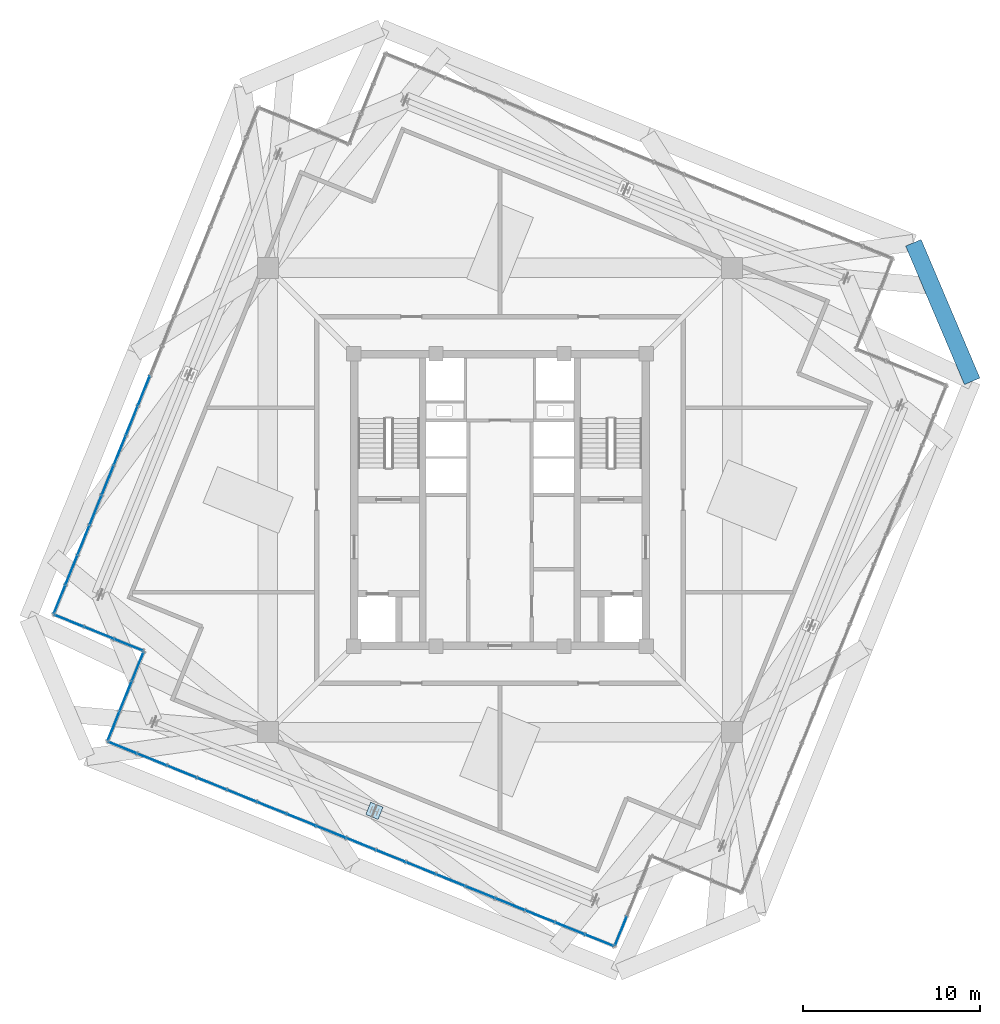
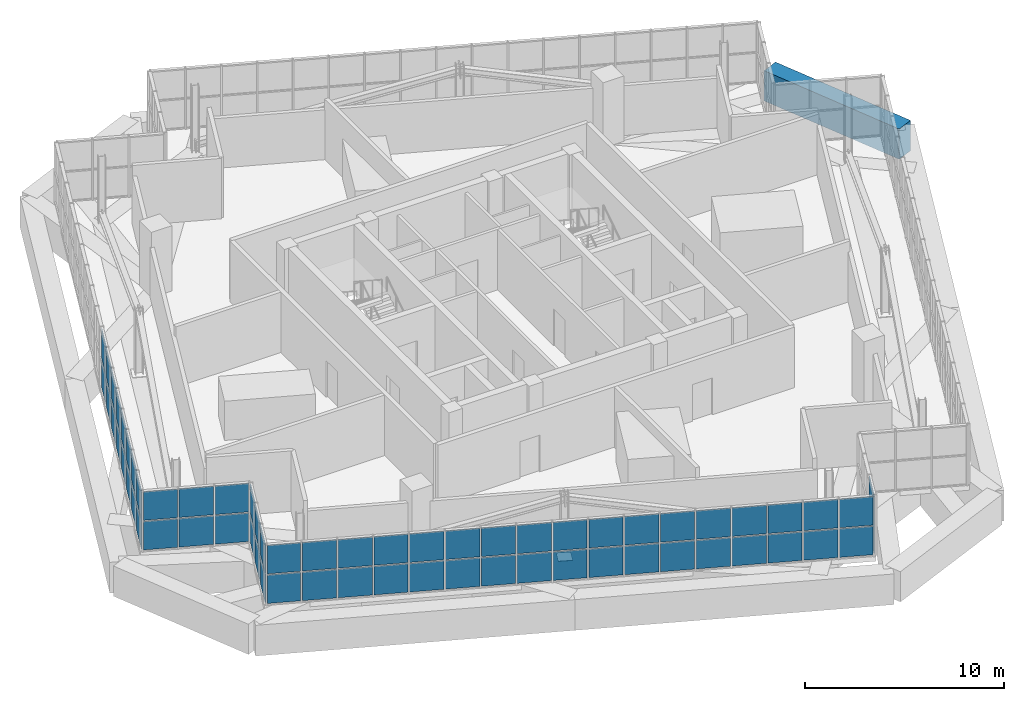
# One storey, part 27 of 35: 65 plates, 1 beam, 5 elements without a shape of their own.
"""IFC4 building model written with IfcOpenShell, lengths in metres."""

from ifc_helpers import new_model, si_unit, direction, frame, origin, origin_2d, place, context, subcontext, project, spatial, rectangle, extrude, source, transform, mapped, material, layer, layer_set, material_profile, profile_set, type_object, element, aggregate, save


model = new_model("IFC4")

# Units and contexts
model_context = context("Model", 3, precision=1e-05, world=origin(), true_north=direction((0.0, 1.0)))
body_context = subcontext(model_context, "Body", "Model", "MODEL_VIEW")
ifc_project = project(units=[si_unit("LENGTHUNIT", "METRE"), si_unit("AREAUNIT", "SQUARE_METRE"), si_unit("VOLUMEUNIT", "CUBIC_METRE"), si_unit("PLANEANGLEUNIT", "RADIAN"), si_unit("MASSUNIT", "GRAM", prefix="KILO"), si_unit("THERMODYNAMICTEMPERATUREUNIT", "KELVIN")], contexts=[model_context])

# Site, building, storey
site_placement = place(None, origin())
site = spatial("IfcSite", under=ifc_project, at=site_placement, CompositionType="ELEMENT")
building_placement = place(site_placement, origin())
building = spatial("IfcBuilding", under=site, at=building_placement, Name="Kosmvard Interchange Tower", CompositionType="ELEMENT")
storey_placement = place(building_placement, frame((0.0, 0.0, 321.60009765625)))
storey = spatial("IfcBuildingStorey", under=building, at=storey_placement, Name="L79", CompositionType="ELEMENT", Elevation=321.60009765625)

# Beam
ifc_material_1 = material(Name="Concrete C60/75", Category="concrete")
ifc_material_profile = material_profile(ifc_material_1, rectangle(XDim=0.949951171875, YDim=1.85009765625, at=origin_2d()), Name="TG 950x1850")
ifc_profile_set = profile_set([ifc_material_profile], Name="Concrete C60/75")
beam_type = type_object("IfcBeamType", Name="Upper Transfer Ring Girder 950x1850 C60/75", PredefinedType="USERDEFINED", material=ifc_profile_set)
shared_shape_1 = source(origin(), body_context, "Body", "SweptSolid", [
    extrude(rectangle(XDim=0.949951171875, YDim=1.85009765625, at=origin_2d()), origin(), (0.0, 0.0, 1.0), 8.4853515625),
])
beam_placement = place(storey_placement, frame((26.61962890625, 6.690185546875, -0.925048828125), z_axis=(-0.390725696857, 0.920507159025, 0.0), x_axis=(-0.920507159025, -0.390725696857, 0.0)))
element("IfcBeam", 1, at=beam_placement, inside=storey, type_object=beam_type, Name="BM-L79-LR03", ObjectType="TRANSFER_GIRDER", PredefinedType="USERDEFINED", context=body_context, shape_type="MappedRepresentation", body=[
    mapped(shared_shape_1, transform((0.0, 0.0, 0.0), scale=1.0)),
])

# Plate
ifc_material_2 = material(Name="Steel S355", Category="steel")
ifc_layer_1 = layer(ifc_material_2, 0.0380859375, Name="Steel S355")
ifc_layer_set_1 = layer_set([ifc_layer_1], Name="Steel S355")
plate_type_1 = type_object("IfcPlateType", Name="Lantern Base & Chord End Cap Stiffener 750x750x38 S355", PredefinedType="USERDEFINED", material=ifc_layer_set_1)
shared_shape_2 = source(origin(), body_context, "Body", "SweptSolid", [
    extrude(rectangle(XDim=0.75, YDim=0.75, at=origin_2d()), origin(), (0.0, 0.0, 1.0), 0.0380859375),
])
plate_1_placement = place(storey_placement, frame((-7.080078125, -17.523681640625, -0.000244140625), z_axis=(0.0, 0.0, 1.0), x_axis=(0.374606593416, 0.927183854567, 0.0)))
element("IfcPlate", 2, at=plate_1_placement, inside=storey, type_object=plate_type_1, Name="Crown Lantern Leg Base Plate LL-W2", ObjectType="STIFFENER_PLATE", PredefinedType="USERDEFINED", context=body_context, shape_type="MappedRepresentation", body=[
    mapped(shared_shape_2, transform((0.0, 0.0, 0.0), scale=1.0)),
])

# Curtain wall, plates
ifc_material_3 = material(Name="Architectural anodised aluminium", Category="aluminium")
ifc_layer_2 = layer(ifc_material_3, 0.25, Name="Architectural anodised aluminium")
ifc_layer_set_2 = layer_set([ifc_layer_2], Name="Architectural anodised aluminium")
curtain_wall_type = type_object("IfcCurtainWallType", Name="CW-6 Illuminated Crown Lantern Curtain Wall", PredefinedType="NOTDEFINED", material=ifc_layer_set_2)
curtain_wall_1_placement = place(storey_placement, origin())
curtain_wall_1 = element("IfcCurtainWall", 3, at=curtain_wall_1_placement, inside=storey, type_object=curtain_wall_type, Name="L79 Crown Lantern Glazing Face 07", PredefinedType="NOTDEFINED")
ifc_material_4 = material(Name="Laminated acoustic lantern glazing", Category="glass")
ifc_layer_3 = layer(ifc_material_4, 0.035888671875, Name="Laminated acoustic lantern glazing")
ifc_layer_set_3 = layer_set([ifc_layer_3], Name="Laminated acoustic lantern glazing")
plate_type_2 = type_object("IfcPlateType", Name="Lantern Diffused Illuminated Panel 36", PredefinedType="CURTAIN_PANEL", material=ifc_layer_set_3)
shared_shape_3 = source(origin(), body_context, "Body", "SweptSolid", [
    extrude(rectangle(XDim=1.694091796875, YDim=0.035888671875, at=origin_2d()), origin(), (0.0, 0.0, 1.0), 1.7451171875),
])
plate_2_placement = place(storey_placement, frame((-24.825927734375, -5.600830078125, 0.06982421875), z_axis=(0.0, 0.0, 1.0), x_axis=(-0.374606584758, -0.927183858065, 0.0)))
plate_2 = element("IfcPlate", 4, at=plate_2_placement, type_object=plate_type_2, Name="CW-6 panel 17.1", PredefinedType="CURTAIN_PANEL", context=body_context, shape_type="MappedRepresentation", body=[
    mapped(shared_shape_3, transform((0.0, 0.0, 0.0), scale=1.0)),
])
plate_3_placement = place(storey_placement, frame((-24.825927734375, -5.600830078125, 1.884765625), z_axis=(0.0, 0.0, 1.0), x_axis=(-0.374606584758, -0.927183858065, 0.0)))
plate_3 = element("IfcPlate", 5, at=plate_3_placement, type_object=plate_type_2, Name="CW-6 panel 17.2", PredefinedType="CURTAIN_PANEL", context=body_context, shape_type="MappedRepresentation", body=[
    mapped(shared_shape_3, transform((0.0, 0.0, 0.0), scale=1.0)),
])

curtain_wall_2_placement = place(storey_placement, origin())
curtain_wall_2 = element("IfcCurtainWall", 6, at=curtain_wall_2_placement, inside=storey, type_object=curtain_wall_type, Name="L79 Crown Lantern Glazing Face 10", PredefinedType="NOTDEFINED")
plate_4_placement = place(storey_placement, frame((-21.2744140625, -13.967529296875, 0.06982421875), z_axis=(0.0, 0.0, 1.0), x_axis=(0.927183858065, -0.374606584758, 0.0)))
plate_4 = element("IfcPlate", 7, at=plate_4_placement, type_object=plate_type_2, Name="CW-6 panel 1.1", PredefinedType="CURTAIN_PANEL", context=body_context, shape_type="MappedRepresentation", body=[
    mapped(shared_shape_3, transform((0.0, 0.0, 0.0), scale=1.0)),
])
plate_5_placement = place(storey_placement, frame((-21.2744140625, -13.967529296875, 1.884765625), z_axis=(0.0, 0.0, 1.0), x_axis=(0.927183858065, -0.374606584758, 0.0)))
plate_5 = element("IfcPlate", 8, at=plate_5_placement, type_object=plate_type_2, Name="CW-6 panel 1.2", PredefinedType="CURTAIN_PANEL", context=body_context, shape_type="MappedRepresentation", body=[
    mapped(shared_shape_3, transform((0.0, 0.0, 0.0), scale=1.0)),
])
plate_6_placement = place(storey_placement, frame((5.600830078125, -24.825927734375, 0.06982421875), z_axis=(0.0, 0.0, 1.0), x_axis=(0.927183858065, -0.374606584758, 0.0)))
plate_6 = element("IfcPlate", 9, at=plate_6_placement, type_object=plate_type_2, Name="CW-6 panel 17.1", PredefinedType="CURTAIN_PANEL", context=body_context, shape_type="MappedRepresentation", body=[
    mapped(shared_shape_3, transform((0.0, 0.0, 0.0), scale=1.0)),
])
plate_7_placement = place(storey_placement, frame((5.600830078125, -24.825927734375, 1.884765625), z_axis=(0.0, 0.0, 1.0), x_axis=(0.927183858065, -0.374606584758, 0.0)))
plate_7 = element("IfcPlate", 10, at=plate_7_placement, type_object=plate_type_2, Name="CW-6 panel 17.2", PredefinedType="CURTAIN_PANEL", context=body_context, shape_type="MappedRepresentation", body=[
    mapped(shared_shape_3, transform((0.0, 0.0, 0.0), scale=1.0)),
])

# Plate
shared_shape_4 = source(origin(), body_context, "Body", "SweptSolid", [
    extrude(rectangle(XDim=1.734130859375, YDim=0.035888671875, at=origin_2d()), origin(), (0.0, 0.0, 1.0), 1.7451171875),
])
plate_8_placement = place(storey_placement, frame((-20.076171875, 6.15478515625, 0.06982421875), z_axis=(0.0, 0.0, 1.0), x_axis=(-0.374606584758, -0.927183858065, 0.0)))
plate_8 = element("IfcPlate", 11, at=plate_8_placement, type_object=plate_type_2, Name="CW-6 panel 10.1", PredefinedType="CURTAIN_PANEL", context=body_context, shape_type="MappedRepresentation", body=[
    mapped(shared_shape_4, transform((0.0, 0.0, 0.0), scale=1.0)),
])

plate_9_placement = place(storey_placement, frame((-20.076171875, 6.15478515625, 1.884765625), z_axis=(0.0, 0.0, 1.0), x_axis=(-0.374606584758, -0.927183858065, 0.0)))
plate_9 = element("IfcPlate", 12, at=plate_9_placement, type_object=plate_type_2, Name="CW-6 panel 10.2", PredefinedType="CURTAIN_PANEL", context=body_context, shape_type="MappedRepresentation", body=[
    mapped(shared_shape_4, transform((0.0, 0.0, 0.0), scale=1.0)),
])

plate_10_placement = place(storey_placement, frame((-20.755859375, 4.47265625, 0.06982421875), z_axis=(0.0, 0.0, 1.0), x_axis=(-0.374606584758, -0.927183858065, 0.0)))
plate_10 = element("IfcPlate", 13, at=plate_10_placement, type_object=plate_type_2, Name="CW-6 panel 11.1", PredefinedType="CURTAIN_PANEL", context=body_context, shape_type="MappedRepresentation", body=[
    mapped(shared_shape_4, transform((0.0, 0.0, 0.0), scale=1.0)),
])

plate_11_placement = place(storey_placement, frame((-20.755859375, 4.47265625, 1.884765625), z_axis=(0.0, 0.0, 1.0), x_axis=(-0.374606584758, -0.927183858065, 0.0)))
plate_11 = element("IfcPlate", 14, at=plate_11_placement, type_object=plate_type_2, Name="CW-6 panel 11.2", PredefinedType="CURTAIN_PANEL", context=body_context, shape_type="MappedRepresentation", body=[
    mapped(shared_shape_4, transform((0.0, 0.0, 0.0), scale=1.0)),
])

plate_12_placement = place(storey_placement, frame((-21.435546875, 2.790771484375, 0.06982421875), z_axis=(0.0, 0.0, 1.0), x_axis=(-0.374606584758, -0.927183858065, 0.0)))
plate_12 = element("IfcPlate", 15, at=plate_12_placement, type_object=plate_type_2, Name="CW-6 panel 12.1", PredefinedType="CURTAIN_PANEL", context=body_context, shape_type="MappedRepresentation", body=[
    mapped(shared_shape_4, transform((0.0, 0.0, 0.0), scale=1.0)),
])

plate_13_placement = place(storey_placement, frame((-21.435546875, 2.790771484375, 1.884765625), z_axis=(0.0, 0.0, 1.0), x_axis=(-0.374606584758, -0.927183858065, 0.0)))
plate_13 = element("IfcPlate", 16, at=plate_13_placement, type_object=plate_type_2, Name="CW-6 panel 12.2", PredefinedType="CURTAIN_PANEL", context=body_context, shape_type="MappedRepresentation", body=[
    mapped(shared_shape_4, transform((0.0, 0.0, 0.0), scale=1.0)),
])

plate_14_placement = place(storey_placement, frame((-22.114990234375, 1.108642578125, 0.06982421875), z_axis=(0.0, 0.0, 1.0), x_axis=(-0.374606584758, -0.927183858065, 0.0)))
plate_14 = element("IfcPlate", 17, at=plate_14_placement, type_object=plate_type_2, Name="CW-6 panel 13.1", PredefinedType="CURTAIN_PANEL", context=body_context, shape_type="MappedRepresentation", body=[
    mapped(shared_shape_4, transform((0.0, 0.0, 0.0), scale=1.0)),
])

plate_15_placement = place(storey_placement, frame((-22.114990234375, 1.108642578125, 1.884765625), z_axis=(0.0, 0.0, 1.0), x_axis=(-0.374606584758, -0.927183858065, 0.0)))
plate_15 = element("IfcPlate", 18, at=plate_15_placement, type_object=plate_type_2, Name="CW-6 panel 13.2", PredefinedType="CURTAIN_PANEL", context=body_context, shape_type="MappedRepresentation", body=[
    mapped(shared_shape_4, transform((0.0, 0.0, 0.0), scale=1.0)),
])

plate_16_placement = place(storey_placement, frame((-22.794677734375, -0.5732421875, 0.06982421875), z_axis=(0.0, 0.0, 1.0), x_axis=(-0.374606584758, -0.927183858065, 0.0)))
plate_16 = element("IfcPlate", 19, at=plate_16_placement, type_object=plate_type_2, Name="CW-6 panel 14.1", PredefinedType="CURTAIN_PANEL", context=body_context, shape_type="MappedRepresentation", body=[
    mapped(shared_shape_4, transform((0.0, 0.0, 0.0), scale=1.0)),
])

plate_17_placement = place(storey_placement, frame((-22.794677734375, -0.5732421875, 1.884765625), z_axis=(0.0, 0.0, 1.0), x_axis=(-0.374606584758, -0.927183858065, 0.0)))
plate_17 = element("IfcPlate", 20, at=plate_17_placement, type_object=plate_type_2, Name="CW-6 panel 14.2", PredefinedType="CURTAIN_PANEL", context=body_context, shape_type="MappedRepresentation", body=[
    mapped(shared_shape_4, transform((0.0, 0.0, 0.0), scale=1.0)),
])

plate_18_placement = place(storey_placement, frame((-23.47412109375, -2.25537109375, 0.06982421875), z_axis=(0.0, 0.0, 1.0), x_axis=(-0.374606584758, -0.927183858065, 0.0)))
plate_18 = element("IfcPlate", 21, at=plate_18_placement, type_object=plate_type_2, Name="CW-6 panel 15.1", PredefinedType="CURTAIN_PANEL", context=body_context, shape_type="MappedRepresentation", body=[
    mapped(shared_shape_4, transform((0.0, 0.0, 0.0), scale=1.0)),
])

plate_19_placement = place(storey_placement, frame((-23.47412109375, -2.25537109375, 1.884765625), z_axis=(0.0, 0.0, 1.0), x_axis=(-0.374606584758, -0.927183858065, 0.0)))
plate_19 = element("IfcPlate", 22, at=plate_19_placement, type_object=plate_type_2, Name="CW-6 panel 15.2", PredefinedType="CURTAIN_PANEL", context=body_context, shape_type="MappedRepresentation", body=[
    mapped(shared_shape_4, transform((0.0, 0.0, 0.0), scale=1.0)),
])

plate_20_placement = place(storey_placement, frame((-24.15380859375, -3.937255859375, 0.06982421875), z_axis=(0.0, 0.0, 1.0), x_axis=(-0.374606584758, -0.927183858065, 0.0)))
plate_20 = element("IfcPlate", 23, at=plate_20_placement, type_object=plate_type_2, Name="CW-6 panel 16.1", PredefinedType="CURTAIN_PANEL", context=body_context, shape_type="MappedRepresentation", body=[
    mapped(shared_shape_4, transform((0.0, 0.0, 0.0), scale=1.0)),
])

plate_21_placement = place(storey_placement, frame((-24.15380859375, -3.937255859375, 1.884765625), z_axis=(0.0, 0.0, 1.0), x_axis=(-0.374606584758, -0.927183858065, 0.0)))
plate_21 = element("IfcPlate", 24, at=plate_21_placement, type_object=plate_type_2, Name="CW-6 panel 16.2", PredefinedType="CURTAIN_PANEL", context=body_context, shape_type="MappedRepresentation", body=[
    mapped(shared_shape_4, transform((0.0, 0.0, 0.0), scale=1.0)),
])

aggregate(curtain_wall_1, [plate_8, plate_9, plate_10, plate_11, plate_12, plate_13, plate_14, plate_15, plate_16, plate_17, plate_18, plate_19, plate_20, plate_21, plate_2, plate_3])

plate_22_placement = place(storey_placement, frame((-19.61083984375, -14.6396484375, 0.06982421875), z_axis=(0.0, 0.0, 1.0), x_axis=(0.927183858065, -0.374606584758, 0.0)))
plate_22 = element("IfcPlate", 25, at=plate_22_placement, type_object=plate_type_2, Name="CW-6 panel 2.1", PredefinedType="CURTAIN_PANEL", context=body_context, shape_type="MappedRepresentation", body=[
    mapped(shared_shape_4, transform((0.0, 0.0, 0.0), scale=1.0)),
])

plate_23_placement = place(storey_placement, frame((-19.61083984375, -14.6396484375, 1.884765625), z_axis=(0.0, 0.0, 1.0), x_axis=(0.927183858065, -0.374606584758, 0.0)))
plate_23 = element("IfcPlate", 26, at=plate_23_placement, type_object=plate_type_2, Name="CW-6 panel 2.2", PredefinedType="CURTAIN_PANEL", context=body_context, shape_type="MappedRepresentation", body=[
    mapped(shared_shape_4, transform((0.0, 0.0, 0.0), scale=1.0)),
])

plate_24_placement = place(storey_placement, frame((-17.928955078125, -15.319091796875, 0.06982421875), z_axis=(0.0, 0.0, 1.0), x_axis=(0.927183858065, -0.374606584758, 0.0)))
plate_24 = element("IfcPlate", 27, at=plate_24_placement, type_object=plate_type_2, Name="CW-6 panel 3.1", PredefinedType="CURTAIN_PANEL", context=body_context, shape_type="MappedRepresentation", body=[
    mapped(shared_shape_4, transform((0.0, 0.0, 0.0), scale=1.0)),
])

plate_25_placement = place(storey_placement, frame((-17.928955078125, -15.319091796875, 1.884765625), z_axis=(0.0, 0.0, 1.0), x_axis=(0.927183858065, -0.374606584758, 0.0)))
plate_25 = element("IfcPlate", 28, at=plate_25_placement, type_object=plate_type_2, Name="CW-6 panel 3.2", PredefinedType="CURTAIN_PANEL", context=body_context, shape_type="MappedRepresentation", body=[
    mapped(shared_shape_4, transform((0.0, 0.0, 0.0), scale=1.0)),
])

plate_26_placement = place(storey_placement, frame((-16.246826171875, -15.998779296875, 0.06982421875), z_axis=(0.0, 0.0, 1.0), x_axis=(0.927183858065, -0.374606584758, 0.0)))
plate_26 = element("IfcPlate", 29, at=plate_26_placement, type_object=plate_type_2, Name="CW-6 panel 4.1", PredefinedType="CURTAIN_PANEL", context=body_context, shape_type="MappedRepresentation", body=[
    mapped(shared_shape_4, transform((0.0, 0.0, 0.0), scale=1.0)),
])

plate_27_placement = place(storey_placement, frame((-16.246826171875, -15.998779296875, 1.884765625), z_axis=(0.0, 0.0, 1.0), x_axis=(0.927183858065, -0.374606584758, 0.0)))
plate_27 = element("IfcPlate", 30, at=plate_27_placement, type_object=plate_type_2, Name="CW-6 panel 4.2", PredefinedType="CURTAIN_PANEL", context=body_context, shape_type="MappedRepresentation", body=[
    mapped(shared_shape_4, transform((0.0, 0.0, 0.0), scale=1.0)),
])

plate_28_placement = place(storey_placement, frame((-14.56494140625, -16.678466796875, 0.06982421875), z_axis=(0.0, 0.0, 1.0), x_axis=(0.927183858065, -0.374606584758, 0.0)))
plate_28 = element("IfcPlate", 31, at=plate_28_placement, type_object=plate_type_2, Name="CW-6 panel 5.1", PredefinedType="CURTAIN_PANEL", context=body_context, shape_type="MappedRepresentation", body=[
    mapped(shared_shape_4, transform((0.0, 0.0, 0.0), scale=1.0)),
])

plate_29_placement = place(storey_placement, frame((-14.56494140625, -16.678466796875, 1.884765625), z_axis=(0.0, 0.0, 1.0), x_axis=(0.927183858065, -0.374606584758, 0.0)))
plate_29 = element("IfcPlate", 32, at=plate_29_placement, type_object=plate_type_2, Name="CW-6 panel 5.2", PredefinedType="CURTAIN_PANEL", context=body_context, shape_type="MappedRepresentation", body=[
    mapped(shared_shape_4, transform((0.0, 0.0, 0.0), scale=1.0)),
])

plate_30_placement = place(storey_placement, frame((-12.8828125, -17.35791015625, 0.06982421875), z_axis=(0.0, 0.0, 1.0), x_axis=(0.927183858065, -0.374606584758, 0.0)))
plate_30 = element("IfcPlate", 33, at=plate_30_placement, type_object=plate_type_2, Name="CW-6 panel 6.1", PredefinedType="CURTAIN_PANEL", context=body_context, shape_type="MappedRepresentation", body=[
    mapped(shared_shape_4, transform((0.0, 0.0, 0.0), scale=1.0)),
])

plate_31_placement = place(storey_placement, frame((-12.8828125, -17.35791015625, 1.884765625), z_axis=(0.0, 0.0, 1.0), x_axis=(0.927183858065, -0.374606584758, 0.0)))
plate_31 = element("IfcPlate", 34, at=plate_31_placement, type_object=plate_type_2, Name="CW-6 panel 6.2", PredefinedType="CURTAIN_PANEL", context=body_context, shape_type="MappedRepresentation", body=[
    mapped(shared_shape_4, transform((0.0, 0.0, 0.0), scale=1.0)),
])

plate_32_placement = place(storey_placement, frame((-11.200927734375, -18.03759765625, 0.06982421875), z_axis=(0.0, 0.0, 1.0), x_axis=(0.927183858065, -0.374606584758, 0.0)))
plate_32 = element("IfcPlate", 35, at=plate_32_placement, type_object=plate_type_2, Name="CW-6 panel 7.1", PredefinedType="CURTAIN_PANEL", context=body_context, shape_type="MappedRepresentation", body=[
    mapped(shared_shape_4, transform((0.0, 0.0, 0.0), scale=1.0)),
])

plate_33_placement = place(storey_placement, frame((-11.200927734375, -18.03759765625, 1.884765625), z_axis=(0.0, 0.0, 1.0), x_axis=(0.927183858065, -0.374606584758, 0.0)))
plate_33 = element("IfcPlate", 36, at=plate_33_placement, type_object=plate_type_2, Name="CW-6 panel 7.2", PredefinedType="CURTAIN_PANEL", context=body_context, shape_type="MappedRepresentation", body=[
    mapped(shared_shape_4, transform((0.0, 0.0, 0.0), scale=1.0)),
])

plate_34_placement = place(storey_placement, frame((-9.518798828125, -18.717041015625, 0.06982421875), z_axis=(0.0, 0.0, 1.0), x_axis=(0.927183858065, -0.374606584758, 0.0)))
plate_34 = element("IfcPlate", 37, at=plate_34_placement, type_object=plate_type_2, Name="CW-6 panel 8.1", PredefinedType="CURTAIN_PANEL", context=body_context, shape_type="MappedRepresentation", body=[
    mapped(shared_shape_4, transform((0.0, 0.0, 0.0), scale=1.0)),
])

plate_35_placement = place(storey_placement, frame((-9.518798828125, -18.717041015625, 1.884765625), z_axis=(0.0, 0.0, 1.0), x_axis=(0.927183858065, -0.374606584758, 0.0)))
plate_35 = element("IfcPlate", 38, at=plate_35_placement, type_object=plate_type_2, Name="CW-6 panel 8.2", PredefinedType="CURTAIN_PANEL", context=body_context, shape_type="MappedRepresentation", body=[
    mapped(shared_shape_4, transform((0.0, 0.0, 0.0), scale=1.0)),
])

plate_36_placement = place(storey_placement, frame((-7.836669921875, -19.396728515625, 0.06982421875), z_axis=(0.0, 0.0, 1.0), x_axis=(0.927183858065, -0.374606584758, 0.0)))
plate_36 = element("IfcPlate", 39, at=plate_36_placement, type_object=plate_type_2, Name="CW-6 panel 9.1", PredefinedType="CURTAIN_PANEL", context=body_context, shape_type="MappedRepresentation", body=[
    mapped(shared_shape_4, transform((0.0, 0.0, 0.0), scale=1.0)),
])

plate_37_placement = place(storey_placement, frame((-7.836669921875, -19.396728515625, 1.884765625), z_axis=(0.0, 0.0, 1.0), x_axis=(0.927183858065, -0.374606584758, 0.0)))
plate_37 = element("IfcPlate", 40, at=plate_37_placement, type_object=plate_type_2, Name="CW-6 panel 9.2", PredefinedType="CURTAIN_PANEL", context=body_context, shape_type="MappedRepresentation", body=[
    mapped(shared_shape_4, transform((0.0, 0.0, 0.0), scale=1.0)),
])

plate_38_placement = place(storey_placement, frame((-6.15478515625, -20.076171875, 0.06982421875), z_axis=(0.0, 0.0, 1.0), x_axis=(0.927183858065, -0.374606584758, 0.0)))
plate_38 = element("IfcPlate", 41, at=plate_38_placement, type_object=plate_type_2, Name="CW-6 panel 10.1", PredefinedType="CURTAIN_PANEL", context=body_context, shape_type="MappedRepresentation", body=[
    mapped(shared_shape_4, transform((0.0, 0.0, 0.0), scale=1.0)),
])

plate_39_placement = place(storey_placement, frame((-6.15478515625, -20.076171875, 1.884765625), z_axis=(0.0, 0.0, 1.0), x_axis=(0.927183858065, -0.374606584758, 0.0)))
plate_39 = element("IfcPlate", 42, at=plate_39_placement, type_object=plate_type_2, Name="CW-6 panel 10.2", PredefinedType="CURTAIN_PANEL", context=body_context, shape_type="MappedRepresentation", body=[
    mapped(shared_shape_4, transform((0.0, 0.0, 0.0), scale=1.0)),
])

plate_40_placement = place(storey_placement, frame((-4.47265625, -20.755859375, 0.06982421875), z_axis=(0.0, 0.0, 1.0), x_axis=(0.927183858065, -0.374606584758, 0.0)))
plate_40 = element("IfcPlate", 43, at=plate_40_placement, type_object=plate_type_2, Name="CW-6 panel 11.1", PredefinedType="CURTAIN_PANEL", context=body_context, shape_type="MappedRepresentation", body=[
    mapped(shared_shape_4, transform((0.0, 0.0, 0.0), scale=1.0)),
])

plate_41_placement = place(storey_placement, frame((-4.47265625, -20.755859375, 1.884765625), z_axis=(0.0, 0.0, 1.0), x_axis=(0.927183858065, -0.374606584758, 0.0)))
plate_41 = element("IfcPlate", 44, at=plate_41_placement, type_object=plate_type_2, Name="CW-6 panel 11.2", PredefinedType="CURTAIN_PANEL", context=body_context, shape_type="MappedRepresentation", body=[
    mapped(shared_shape_4, transform((0.0, 0.0, 0.0), scale=1.0)),
])

plate_42_placement = place(storey_placement, frame((-2.790771484375, -21.435546875, 0.06982421875), z_axis=(0.0, 0.0, 1.0), x_axis=(0.927183858065, -0.374606584758, 0.0)))
plate_42 = element("IfcPlate", 45, at=plate_42_placement, type_object=plate_type_2, Name="CW-6 panel 12.1", PredefinedType="CURTAIN_PANEL", context=body_context, shape_type="MappedRepresentation", body=[
    mapped(shared_shape_4, transform((0.0, 0.0, 0.0), scale=1.0)),
])

plate_43_placement = place(storey_placement, frame((-2.790771484375, -21.435546875, 1.884765625), z_axis=(0.0, 0.0, 1.0), x_axis=(0.927183858065, -0.374606584758, 0.0)))
plate_43 = element("IfcPlate", 46, at=plate_43_placement, type_object=plate_type_2, Name="CW-6 panel 12.2", PredefinedType="CURTAIN_PANEL", context=body_context, shape_type="MappedRepresentation", body=[
    mapped(shared_shape_4, transform((0.0, 0.0, 0.0), scale=1.0)),
])

plate_44_placement = place(storey_placement, frame((-1.108642578125, -22.114990234375, 0.06982421875), z_axis=(0.0, 0.0, 1.0), x_axis=(0.927183858065, -0.374606584758, 0.0)))
plate_44 = element("IfcPlate", 47, at=plate_44_placement, type_object=plate_type_2, Name="CW-6 panel 13.1", PredefinedType="CURTAIN_PANEL", context=body_context, shape_type="MappedRepresentation", body=[
    mapped(shared_shape_4, transform((0.0, 0.0, 0.0), scale=1.0)),
])

plate_45_placement = place(storey_placement, frame((-1.108642578125, -22.114990234375, 1.884765625), z_axis=(0.0, 0.0, 1.0), x_axis=(0.927183858065, -0.374606584758, 0.0)))
plate_45 = element("IfcPlate", 48, at=plate_45_placement, type_object=plate_type_2, Name="CW-6 panel 13.2", PredefinedType="CURTAIN_PANEL", context=body_context, shape_type="MappedRepresentation", body=[
    mapped(shared_shape_4, transform((0.0, 0.0, 0.0), scale=1.0)),
])

plate_46_placement = place(storey_placement, frame((0.5732421875, -22.794677734375, 0.06982421875), z_axis=(0.0, 0.0, 1.0), x_axis=(0.927183858065, -0.374606584758, 0.0)))
plate_46 = element("IfcPlate", 49, at=plate_46_placement, type_object=plate_type_2, Name="CW-6 panel 14.1", PredefinedType="CURTAIN_PANEL", context=body_context, shape_type="MappedRepresentation", body=[
    mapped(shared_shape_4, transform((0.0, 0.0, 0.0), scale=1.0)),
])

plate_47_placement = place(storey_placement, frame((0.5732421875, -22.794677734375, 1.884765625), z_axis=(0.0, 0.0, 1.0), x_axis=(0.927183858065, -0.374606584758, 0.0)))
plate_47 = element("IfcPlate", 50, at=plate_47_placement, type_object=plate_type_2, Name="CW-6 panel 14.2", PredefinedType="CURTAIN_PANEL", context=body_context, shape_type="MappedRepresentation", body=[
    mapped(shared_shape_4, transform((0.0, 0.0, 0.0), scale=1.0)),
])

plate_48_placement = place(storey_placement, frame((2.25537109375, -23.47412109375, 0.06982421875), z_axis=(0.0, 0.0, 1.0), x_axis=(0.927183858065, -0.374606584758, 0.0)))
plate_48 = element("IfcPlate", 51, at=plate_48_placement, type_object=plate_type_2, Name="CW-6 panel 15.1", PredefinedType="CURTAIN_PANEL", context=body_context, shape_type="MappedRepresentation", body=[
    mapped(shared_shape_4, transform((0.0, 0.0, 0.0), scale=1.0)),
])

plate_49_placement = place(storey_placement, frame((2.25537109375, -23.47412109375, 1.884765625), z_axis=(0.0, 0.0, 1.0), x_axis=(0.927183858065, -0.374606584758, 0.0)))
plate_49 = element("IfcPlate", 52, at=plate_49_placement, type_object=plate_type_2, Name="CW-6 panel 15.2", PredefinedType="CURTAIN_PANEL", context=body_context, shape_type="MappedRepresentation", body=[
    mapped(shared_shape_4, transform((0.0, 0.0, 0.0), scale=1.0)),
])

plate_50_placement = place(storey_placement, frame((3.937255859375, -24.15380859375, 0.06982421875), z_axis=(0.0, 0.0, 1.0), x_axis=(0.927183858065, -0.374606584758, 0.0)))
plate_50 = element("IfcPlate", 53, at=plate_50_placement, type_object=plate_type_2, Name="CW-6 panel 16.1", PredefinedType="CURTAIN_PANEL", context=body_context, shape_type="MappedRepresentation", body=[
    mapped(shared_shape_4, transform((0.0, 0.0, 0.0), scale=1.0)),
])

plate_51_placement = place(storey_placement, frame((3.937255859375, -24.15380859375, 1.884765625), z_axis=(0.0, 0.0, 1.0), x_axis=(0.927183858065, -0.374606584758, 0.0)))
plate_51 = element("IfcPlate", 54, at=plate_51_placement, type_object=plate_type_2, Name="CW-6 panel 16.2", PredefinedType="CURTAIN_PANEL", context=body_context, shape_type="MappedRepresentation", body=[
    mapped(shared_shape_4, transform((0.0, 0.0, 0.0), scale=1.0)),
])

aggregate(curtain_wall_2, [plate_4, plate_5, plate_22, plate_23, plate_24, plate_25, plate_26, plate_27, plate_28, plate_29, plate_30, plate_31, plate_32, plate_33, plate_34, plate_35, plate_36, plate_37, plate_38, plate_39, plate_40, plate_41, plate_42, plate_43, plate_44, plate_45, plate_46, plate_47, plate_48, plate_49, plate_50, plate_51, plate_6, plate_7])

# Curtain wall, plates
curtain_wall_3_placement = place(storey_placement, origin())
curtain_wall_3 = element("IfcCurtainWall", 55, at=curtain_wall_3_placement, inside=storey, type_object=curtain_wall_type, Name="L79 Crown Lantern Glazing Face 08", PredefinedType="NOTDEFINED")
shared_shape_5 = source(origin(), body_context, "Body", "SweptSolid", [
    extrude(rectangle(XDim=1.71337890625, YDim=0.035888671875, at=origin_2d()), origin(), (0.0, 0.0, 1.0), 1.7451171875),
])
plate_52_placement = place(storey_placement, frame((-24.3046875, -6.811279296875, 0.06982421875), z_axis=(0.0, 0.0, 1.0), x_axis=(0.92718386612, -0.374606564822, 0.0)))
plate_52 = element("IfcPlate", 56, at=plate_52_placement, type_object=plate_type_2, Name="CW-6 panel 1.1", PredefinedType="CURTAIN_PANEL", context=body_context, shape_type="MappedRepresentation", body=[
    mapped(shared_shape_5, transform((0.0, 0.0, 0.0), scale=1.0)),
])
plate_53_placement = place(storey_placement, frame((-24.3046875, -6.811279296875, 1.884765625), z_axis=(0.0, 0.0, 1.0), x_axis=(0.92718386612, -0.374606564822, 0.0)))
plate_53 = element("IfcPlate", 57, at=plate_53_placement, type_object=plate_type_2, Name="CW-6 panel 1.2", PredefinedType="CURTAIN_PANEL", context=body_context, shape_type="MappedRepresentation", body=[
    mapped(shared_shape_5, transform((0.0, 0.0, 0.0), scale=1.0)),
])
plate_54_placement = place(storey_placement, frame((-20.942138671875, -8.169921875, 0.06982421875), z_axis=(0.0, 0.0, 1.0), x_axis=(0.92718386612, -0.374606564822, 0.0)))
plate_54 = element("IfcPlate", 58, at=plate_54_placement, type_object=plate_type_2, Name="CW-6 panel 3.1", PredefinedType="CURTAIN_PANEL", context=body_context, shape_type="MappedRepresentation", body=[
    mapped(shared_shape_5, transform((0.0, 0.0, 0.0), scale=1.0)),
])
plate_55_placement = place(storey_placement, frame((-20.942138671875, -8.169921875, 1.884765625), z_axis=(0.0, 0.0, 1.0), x_axis=(0.92718386612, -0.374606564822, 0.0)))
plate_55 = element("IfcPlate", 59, at=plate_55_placement, type_object=plate_type_2, Name="CW-6 panel 3.2", PredefinedType="CURTAIN_PANEL", context=body_context, shape_type="MappedRepresentation", body=[
    mapped(shared_shape_5, transform((0.0, 0.0, 0.0), scale=1.0)),
])

curtain_wall_4_placement = place(storey_placement, origin())
curtain_wall_4 = element("IfcCurtainWall", 60, at=curtain_wall_4_placement, inside=storey, type_object=curtain_wall_type, Name="L79 Crown Lantern Glazing Face 09", PredefinedType="NOTDEFINED")
plate_56_placement = place(storey_placement, frame((-20.424560546875, -9.38916015625, 0.06982421875), z_axis=(0.0, 0.0, 1.0), x_axis=(-0.374606501678, -0.927183891631, 0.0)))
plate_56 = element("IfcPlate", 61, at=plate_56_placement, type_object=plate_type_2, Name="CW-6 panel 1.1", PredefinedType="CURTAIN_PANEL", context=body_context, shape_type="MappedRepresentation", body=[
    mapped(shared_shape_5, transform((0.0, 0.0, 0.0), scale=1.0)),
])
plate_57_placement = place(storey_placement, frame((-20.424560546875, -9.38916015625, 1.884765625), z_axis=(0.0, 0.0, 1.0), x_axis=(-0.374606501678, -0.927183891631, 0.0)))
plate_57 = element("IfcPlate", 62, at=plate_57_placement, type_object=plate_type_2, Name="CW-6 panel 1.2", PredefinedType="CURTAIN_PANEL", context=body_context, shape_type="MappedRepresentation", body=[
    mapped(shared_shape_5, transform((0.0, 0.0, 0.0), scale=1.0)),
])
plate_58_placement = place(storey_placement, frame((-21.782958984375, -12.751708984375, 0.06982421875), z_axis=(0.0, 0.0, 1.0), x_axis=(-0.374606501678, -0.927183891631, 0.0)))
plate_58 = element("IfcPlate", 63, at=plate_58_placement, type_object=plate_type_2, Name="CW-6 panel 3.1", PredefinedType="CURTAIN_PANEL", context=body_context, shape_type="MappedRepresentation", body=[
    mapped(shared_shape_5, transform((0.0, 0.0, 0.0), scale=1.0)),
])
plate_59_placement = place(storey_placement, frame((-21.782958984375, -12.751708984375, 1.884765625), z_axis=(0.0, 0.0, 1.0), x_axis=(-0.374606501678, -0.927183891631, 0.0)))
plate_59 = element("IfcPlate", 64, at=plate_59_placement, type_object=plate_type_2, Name="CW-6 panel 3.2", PredefinedType="CURTAIN_PANEL", context=body_context, shape_type="MappedRepresentation", body=[
    mapped(shared_shape_5, transform((0.0, 0.0, 0.0), scale=1.0)),
])

curtain_wall_5_placement = place(storey_placement, origin())
curtain_wall_5 = element("IfcCurtainWall", 65, at=curtain_wall_5_placement, inside=storey, type_object=curtain_wall_type, Name="L79 Crown Lantern Glazing Face 11", PredefinedType="NOTDEFINED")
plate_60_placement = place(storey_placement, frame((6.811279296875, -24.3046875, 0.06982421875), z_axis=(0.0, 0.0, 1.0), x_axis=(0.374606564822, 0.92718386612, 0.0)))
plate_60 = element("IfcPlate", 66, at=plate_60_placement, type_object=plate_type_2, Name="CW-6 panel 1.1", PredefinedType="CURTAIN_PANEL", context=body_context, shape_type="MappedRepresentation", body=[
    mapped(shared_shape_5, transform((0.0, 0.0, 0.0), scale=1.0)),
])
plate_61_placement = place(storey_placement, frame((6.811279296875, -24.3046875, 1.884765625), z_axis=(0.0, 0.0, 1.0), x_axis=(0.374606564822, 0.92718386612, 0.0)))
plate_61 = element("IfcPlate", 67, at=plate_61_placement, type_object=plate_type_2, Name="CW-6 panel 1.2", PredefinedType="CURTAIN_PANEL", context=body_context, shape_type="MappedRepresentation", body=[
    mapped(shared_shape_5, transform((0.0, 0.0, 0.0), scale=1.0)),
])
aggregate(curtain_wall_5, [plate_60, plate_61])

# Plate
shared_shape_6 = source(origin(), body_context, "Body", "SweptSolid", [
    extrude(rectangle(XDim=1.75341796875, YDim=0.035888671875, at=origin_2d()), origin(), (0.0, 0.0, 1.0), 1.7451171875),
])
plate_62_placement = place(storey_placement, frame((-22.623291015625, -7.490478515625, 0.06982421875), z_axis=(0.0, 0.0, 1.0), x_axis=(0.92718386612, -0.374606564822, 0.0)))
plate_62 = element("IfcPlate", 68, at=plate_62_placement, type_object=plate_type_2, Name="CW-6 panel 2.1", PredefinedType="CURTAIN_PANEL", context=body_context, shape_type="MappedRepresentation", body=[
    mapped(shared_shape_6, transform((0.0, 0.0, 0.0), scale=1.0)),
])

plate_63_placement = place(storey_placement, frame((-22.623291015625, -7.490478515625, 1.884765625), z_axis=(0.0, 0.0, 1.0), x_axis=(0.92718386612, -0.374606564822, 0.0)))
plate_63 = element("IfcPlate", 69, at=plate_63_placement, type_object=plate_type_2, Name="CW-6 panel 2.2", PredefinedType="CURTAIN_PANEL", context=body_context, shape_type="MappedRepresentation", body=[
    mapped(shared_shape_6, transform((0.0, 0.0, 0.0), scale=1.0)),
])

aggregate(curtain_wall_3, [plate_52, plate_53, plate_62, plate_63, plate_54, plate_55])

plate_64_placement = place(storey_placement, frame((-21.103759765625, -11.070556640625, 0.06982421875), z_axis=(0.0, 0.0, 1.0), x_axis=(-0.374606501678, -0.927183891631, 0.0)))
plate_64 = element("IfcPlate", 70, at=plate_64_placement, type_object=plate_type_2, Name="CW-6 panel 2.1", PredefinedType="CURTAIN_PANEL", context=body_context, shape_type="MappedRepresentation", body=[
    mapped(shared_shape_6, transform((0.0, 0.0, 0.0), scale=1.0)),
])

plate_65_placement = place(storey_placement, frame((-21.103759765625, -11.070556640625, 1.884765625), z_axis=(0.0, 0.0, 1.0), x_axis=(-0.374606501678, -0.927183891631, 0.0)))
plate_65 = element("IfcPlate", 71, at=plate_65_placement, type_object=plate_type_2, Name="CW-6 panel 2.2", PredefinedType="CURTAIN_PANEL", context=body_context, shape_type="MappedRepresentation", body=[
    mapped(shared_shape_6, transform((0.0, 0.0, 0.0), scale=1.0)),
])

aggregate(curtain_wall_4, [plate_56, plate_57, plate_64, plate_65, plate_58, plate_59])

save(model, "model.ifc")
